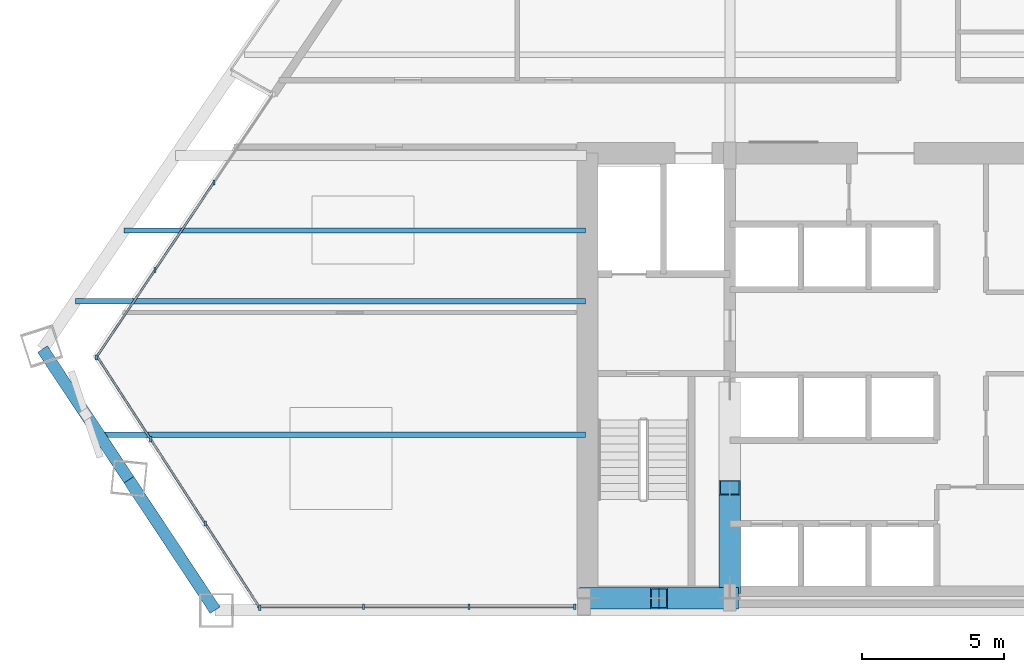
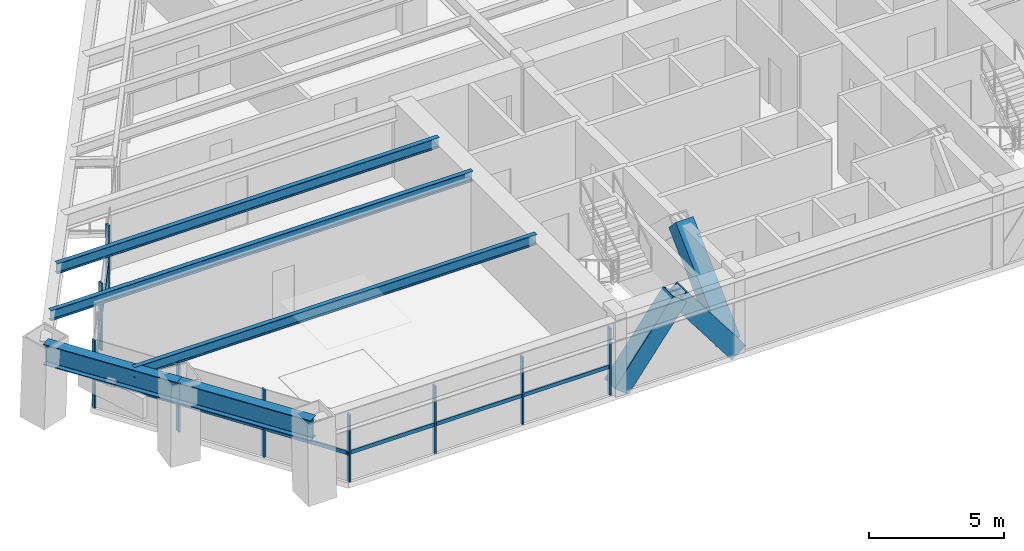
# One storey, part 2 of 14: 20 members, 5 beams, 3 elements without a shape of their own.
"""IFC4 building model written with IfcOpenShell, lengths in metres."""

from ifc_helpers import new_model, si_unit, direction, frame, origin, origin_2d, place, context, subcontext, project, spatial, rectangle, hollow_rectangle, i_section, extrude, source, transform, mapped, material, material_profile, profile_set, type_object, element, aggregate, save


model = new_model("IFC4")

# Units and contexts
model_context = context("Model", 3, precision=1e-05, world=origin(), true_north=direction((0.0, 1.0)))
body_context = subcontext(model_context, "Body", "Model", "MODEL_VIEW")
ifc_project = project(units=[si_unit("LENGTHUNIT", "METRE"), si_unit("AREAUNIT", "SQUARE_METRE"), si_unit("VOLUMEUNIT", "CUBIC_METRE"), si_unit("PLANEANGLEUNIT", "RADIAN"), si_unit("MASSUNIT", "GRAM", prefix="KILO")], contexts=[model_context])

# Site, building, storey
site_placement = place(None, origin())
site = spatial("IfcSite", under=ifc_project, at=site_placement, CompositionType="ELEMENT")
building_placement = place(site_placement, origin())
building = spatial("IfcBuilding", under=site, at=building_placement, Name="Varnakhor Terracotta Tower", CompositionType="ELEMENT")
storey_placement = place(building_placement, frame((0.0, 0.0, 95.10009765625)))
storey = spatial("IfcBuildingStorey", under=building, at=storey_placement, Name="L23", CompositionType="ELEMENT", Elevation=95.10009765625)

# Members
ifc_material_1 = material(Name="Steel S460", Category="steel")
ifc_material_profile_1 = material_profile(ifc_material_1, hollow_rectangle(XDim=0.75, YDim=0.75, WallThickness=0.044921875, at=origin_2d()), Name="HSS750X750X45")
ifc_profile_set_1 = profile_set([ifc_material_profile_1], Name="Steel S460")
member_type_1 = type_object("IfcMemberType", Name="MBR-MEGA-750", PredefinedType="BRACE", material=ifc_profile_set_1)
shared_shape_1 = source(origin(), body_context, "Body", "SweptSolid", [
    extrude(hollow_rectangle(XDim=0.75, YDim=0.75, WallThickness=0.044921875, at=origin_2d()), origin(), (0.0, 0.0, 1.0), 4.139892578125),
])
for number, where, z_axis, x_axis, name in (
    (1, (-10.5, 0.419921875, 0.0), (0.603880396023, 0.0, 0.797074944594), (0.0, 1.0, 0.0), "L23 Core Coupled Brace CSWA"),
    (2, (-5.5, 0.419921875, 0.0), (-0.603880396023, 0.0, 0.797074944594), (0.0, -1.0, 0.0), "L23 Core Coupled Brace CSWB"),
):
    element("IfcMember", number, at=place(storey_placement, frame(where, z_axis=z_axis, x_axis=x_axis)), inside=storey, type_object=member_type_1, Name=name, PredefinedType="BRACE", context=body_context, shape_type="MappedRepresentation", body=[
        mapped(shared_shape_1, transform((0.0, 0.0, 0.0), scale=1.0)),
    ])
shared_shape_2 = source(origin(), body_context, "Body", "SweptSolid", [
    extrude(hollow_rectangle(XDim=0.75, YDim=0.75, WallThickness=0.044921875, at=origin_2d()), origin(), (0.0, 0.0, 1.0), 4.7919921875),
])
member_1_placement = place(storey_placement, frame((-5.5, 0.85009765625, 0.0), z_axis=(0.0, 0.725135524869, 0.688606179592), x_axis=(-1.0, 0.0, 0.0)))
element("IfcMember", 3, at=member_1_placement, inside=storey, type_object=member_type_1, Name="L23 Core Coupled Brace CWWA", PredefinedType="BRACE", context=body_context, shape_type="MappedRepresentation", body=[
    mapped(shared_shape_2, transform((0.0, 0.0, 0.0), scale=1.0)),
])

# Beams
ifc_material_2 = material(Name="Steel S355", Category="steel")
ifc_material_profile_2 = material_profile(ifc_material_2, i_section(OverallWidth=0.41796875, OverallDepth=0.927001953125, WebThickness=0.01904296875, FlangeThickness=0.031982421875, FilletRadius=0.01806640625, at=origin_2d()), Name="W36X231")
ifc_profile_set_2 = profile_set([ifc_material_profile_2], Name="Steel S355")
beam_type_1 = type_object("IfcBeamType", Name="BM-W36X231", PredefinedType="BEAM", material=ifc_profile_set_2)
shared_shape_3 = source(origin(), body_context, "Body", "SweptSolid", [
    extrude(i_section(OverallWidth=0.41796875, OverallDepth=0.927001953125, WebThickness=0.01904296875, FlangeThickness=0.031982421875, FilletRadius=0.01806640625, at=origin_2d()), origin(), (0.0, 0.0, 1.0), 5.52197265625),
])
for number, where, z_axis, x_axis, name in (
    (4, (-29.74951171875, 9.21240234375, 2.986328125), (0.551512801438, -0.834166428149, 0.0), (0.834166428149, 0.551512801438, 0.0), "L23 Perimeter Spandrel 7"),
    (5, (-26.7041015625, 4.606201171875, 2.986328125), (0.551512801438, -0.834166428149, 0.0), (0.834166428149, 0.551512801438, 0.0), "L23 Perimeter Spandrel 8"),
):
    element("IfcBeam", number, at=place(storey_placement, frame(where, z_axis=z_axis, x_axis=x_axis)), inside=storey, type_object=beam_type_1, Name=name, PredefinedType="BEAM", context=body_context, shape_type="MappedRepresentation", body=[
        mapped(shared_shape_3, transform((0.0, 0.0, 0.0), scale=1.0)),
    ])
ifc_material_profile_3 = material_profile(ifc_material_2, i_section(OverallWidth=0.19189453125, OverallDepth=0.462890625, WebThickness=0.010498046875, FlangeThickness=0.017578125, FilletRadius=0.01806640625, at=origin_2d()), Name="W18X60")
ifc_profile_set_3 = profile_set([ifc_material_profile_3], Name="Steel S355")
beam_type_2 = type_object("IfcBeamType", Name="JST-W18X60", PredefinedType="JOIST", material=ifc_profile_set_3)
shared_shape_4 = source(origin(), body_context, "Body", "SweptSolid", [
    extrude(i_section(OverallWidth=0.19189453125, OverallDepth=0.462890625, WebThickness=0.010498046875, FlangeThickness=0.017578125, FilletRadius=0.01806640625, at=origin_2d()), origin(), (0.0, 0.0, 1.0), 17.15771484375),
])
beam_1_placement = place(storey_placement, frame((-27.7578125, 6.199951171875, 3.218505859375), z_axis=(1.0, 0.0, 0.0), x_axis=(0.0, 1.0, 0.0)))
element("IfcBeam", 6, at=beam_1_placement, inside=storey, type_object=beam_type_2, Name="L23 Floor Joist W1", PredefinedType="JOIST", context=body_context, shape_type="MappedRepresentation", body=[
    mapped(shared_shape_4, transform((0.0, 0.0, 0.0), scale=1.0)),
])
shared_shape_5 = source(origin(), body_context, "Body", "SweptSolid", [
    extrude(i_section(OverallWidth=0.19189453125, OverallDepth=0.462890625, WebThickness=0.010498046875, FlangeThickness=0.017578125, FilletRadius=0.01806640625, at=origin_2d()), origin(), (0.0, 0.0, 1.0), 17.992919921875),
])
beam_2_placement = place(storey_placement, frame((-28.593017578125, 10.89990234375, 3.218505859375), z_axis=(1.0, 0.0, 0.0), x_axis=(0.0, 1.0, 0.0)))
element("IfcBeam", 7, at=beam_2_placement, inside=storey, type_object=beam_type_2, Name="L23 Floor Joist W2", PredefinedType="JOIST", context=body_context, shape_type="MappedRepresentation", body=[
    mapped(shared_shape_5, transform((0.0, 0.0, 0.0), scale=1.0)),
])
shared_shape_6 = source(origin(), body_context, "Body", "SweptSolid", [
    extrude(i_section(OverallWidth=0.19189453125, OverallDepth=0.462890625, WebThickness=0.010498046875, FlangeThickness=0.017578125, FilletRadius=0.01806640625, at=origin_2d()), origin(), (0.0, 0.0, 1.0), 16.279541015625),
])
beam_3_placement = place(storey_placement, frame((-26.879638671875, 13.39990234375, 3.218505859375), z_axis=(1.0, 0.0, 0.0), x_axis=(0.0, 1.0, 0.0)))
element("IfcBeam", 8, at=beam_3_placement, inside=storey, type_object=beam_type_2, Name="L23 Floor Joist W3", PredefinedType="JOIST", context=body_context, shape_type="MappedRepresentation", body=[
    mapped(shared_shape_6, transform((0.0, 0.0, 0.0), scale=1.0)),
])

# Curtain wall, members
ifc_material_3 = material(Name="Anodised Aluminium Curtain Wall System", Category="aluminium")
curtain_wall_type = type_object("IfcCurtainWallType", Name="CW-SYS-LOW-OFFICE", PredefinedType="NOTDEFINED", material=ifc_material_3)
curtain_wall_1_placement = place(storey_placement, origin())
curtain_wall_1 = element("IfcCurtainWall", 9, at=curtain_wall_1_placement, inside=storey, type_object=curtain_wall_type, Name="L23 W Facet Curtain Wall 1", PredefinedType="NOTDEFINED")
ifc_material_4 = material(Name="Anodised Aluminium 6063-T6", Category="aluminium")
ifc_material_profile_4 = material_profile(ifc_material_4, rectangle(XDim=0.074951171875, YDim=0.18505859375, at=origin_2d()), Name="ALU MULLION 75x185")
ifc_profile_set_4 = profile_set([ifc_material_profile_4], Name="Anodised Aluminium 6063-T6")
member_type_2 = type_object("IfcMemberType", Name="CWM-02", PredefinedType="MULLION", material=ifc_profile_set_4)
shared_shape_7 = source(origin(), body_context, "Body", "SweptSolid", [
    extrude(rectangle(XDim=0.074951171875, YDim=0.18505859375, at=origin_2d()), origin(), (0.0, 0.0, 1.0), 3.02978515625),
])
member_2_placement = place(storey_placement, frame((-27.856201171875, 8.9208984375, 0.0), z_axis=(0.0, 0.0, 1.0), x_axis=(1.0, 0.0, 0.0)))
member_2 = element("IfcMember", 10, at=member_2_placement, type_object=member_type_2, Name="L23 W Facet Curtain Wall 1 Mullion 1", PredefinedType="MULLION", context=body_context, shape_type="MappedRepresentation", body=[
    mapped(shared_shape_7, transform((0.0, 0.0, 0.0), scale=1.0)),
])
member_3_placement = place(storey_placement, frame((-25.77978515625, 12.0087890625, 0.0), z_axis=(0.0, 0.0, 1.0), x_axis=(1.0, 0.0, 0.0)))
member_3 = element("IfcMember", 11, at=member_3_placement, type_object=member_type_2, Name="L23 W Facet Curtain Wall 1 Mullion 2", PredefinedType="MULLION", context=body_context, shape_type="MappedRepresentation", body=[
    mapped(shared_shape_7, transform((0.0, 0.0, 0.0), scale=1.0)),
])
member_4_placement = place(storey_placement, frame((-23.702880859375, 15.0966796875, 0.0), z_axis=(0.0, 0.0, 1.0), x_axis=(1.0, 0.0, 0.0)))
member_4 = element("IfcMember", 12, at=member_4_placement, type_object=member_type_2, Name="L23 W Facet Curtain Wall 1 Mullion 3", PredefinedType="MULLION", context=body_context, shape_type="MappedRepresentation", body=[
    mapped(shared_shape_7, transform((0.0, 0.0, 0.0), scale=1.0)),
])

curtain_wall_2_placement = place(storey_placement, origin())
curtain_wall_2 = element("IfcCurtainWall", 13, at=curtain_wall_2_placement, inside=storey, type_object=curtain_wall_type, Name="L23 South Wing Curtain Wall SSW", PredefinedType="NOTDEFINED")
member_5_placement = place(storey_placement, frame((-10.969970703125, 0.1201171875, 0.0), z_axis=(0.0, 0.0, 1.0), x_axis=(1.0, 0.0, 0.0)))
member_5 = element("IfcMember", 14, at=member_5_placement, type_object=member_type_2, Name="L23 South Wing Curtain Wall SSW Mullion 1", PredefinedType="MULLION", context=body_context, shape_type="MappedRepresentation", body=[
    mapped(shared_shape_7, transform((0.0, 0.0, 0.0), scale=1.0)),
])
member_6_placement = place(storey_placement, frame((-14.700439453125, 0.1201171875, 0.0), z_axis=(0.0, 0.0, 1.0), x_axis=(1.0, 0.0, 0.0)))
member_6 = element("IfcMember", 15, at=member_6_placement, type_object=member_type_2, Name="L23 South Wing Curtain Wall SSW Mullion 2", PredefinedType="MULLION", context=body_context, shape_type="MappedRepresentation", body=[
    mapped(shared_shape_7, transform((0.0, 0.0, 0.0), scale=1.0)),
])
member_7_placement = place(storey_placement, frame((-18.4306640625, 0.1201171875, 0.0), z_axis=(0.0, 0.0, 1.0), x_axis=(1.0, 0.0, 0.0)))
member_7 = element("IfcMember", 16, at=member_7_placement, type_object=member_type_2, Name="L23 South Wing Curtain Wall SSW Mullion 3", PredefinedType="MULLION", context=body_context, shape_type="MappedRepresentation", body=[
    mapped(shared_shape_7, transform((0.0, 0.0, 0.0), scale=1.0)),
])

curtain_wall_3_placement = place(storey_placement, origin())
curtain_wall_3 = element("IfcCurtainWall", 17, at=curtain_wall_3_placement, inside=storey, type_object=curtain_wall_type, Name="L23 Facet Curtain Wall 6", PredefinedType="NOTDEFINED")
member_8_placement = place(storey_placement, frame((-22.086669921875, 0.09033203125, 0.0), z_axis=(0.0, 0.0, 1.0), x_axis=(1.0, 0.0, 0.0)))
member_8 = element("IfcMember", 18, at=member_8_placement, type_object=member_type_2, Name="L23 Facet Curtain Wall 6 Mullion 1", PredefinedType="MULLION", context=body_context, shape_type="MappedRepresentation", body=[
    mapped(shared_shape_7, transform((0.0, 0.0, 0.0), scale=1.0)),
])
member_9_placement = place(storey_placement, frame((-24.009521484375, 3.061279296875, 0.0), z_axis=(0.0, 0.0, 1.0), x_axis=(1.0, 0.0, 0.0)))
member_9 = element("IfcMember", 19, at=member_9_placement, type_object=member_type_2, Name="L23 Facet Curtain Wall 6 Mullion 2", PredefinedType="MULLION", context=body_context, shape_type="MappedRepresentation", body=[
    mapped(shared_shape_7, transform((0.0, 0.0, 0.0), scale=1.0)),
])
member_10_placement = place(storey_placement, frame((-25.9326171875, 6.031982421875, 0.0), z_axis=(0.0, 0.0, 1.0), x_axis=(1.0, 0.0, 0.0)))
member_10 = element("IfcMember", 20, at=member_10_placement, type_object=member_type_2, Name="L23 Facet Curtain Wall 6 Mullion 3", PredefinedType="MULLION", context=body_context, shape_type="MappedRepresentation", body=[
    mapped(shared_shape_7, transform((0.0, 0.0, 0.0), scale=1.0)),
])
ifc_material_profile_5 = material_profile(ifc_material_4, rectangle(XDim=0.074951171875, YDim=0.1650390625, at=origin_2d()), Name="ALU TRANSOM 75x165")
ifc_profile_set_5 = profile_set([ifc_material_profile_5], Name="Anodised Aluminium 6063-T6")
member_type_3 = type_object("IfcMemberType", Name="CWT-02", PredefinedType="USERDEFINED", material=ifc_profile_set_5)
shared_shape_8 = source(origin(), body_context, "Body", "SweptSolid", [
    extrude(rectangle(XDim=0.074951171875, YDim=0.1650390625, at=origin_2d()), origin(), (0.0, 0.0, 1.0), 3.538818359375),
])
member_11_placement = place(storey_placement, frame((-22.086669921875, 0.09033203125, 1.2724609375), z_axis=(-0.543345669836, 0.839509072655, 0.0), x_axis=(-0.839509072655, -0.543345669836, 0.0)))
member_11 = element("IfcMember", 21, at=member_11_placement, type_object=member_type_3, Name="L23 Facet Curtain Wall 6 Transom 1", ObjectType="TRANSOM", PredefinedType="USERDEFINED", context=body_context, shape_type="MappedRepresentation", body=[
    mapped(shared_shape_8, transform((0.0, 0.0, 0.0), scale=1.0)),
])
member_12_placement = place(storey_placement, frame((-24.009521484375, 3.061279296875, 1.2724609375), z_axis=(-0.543425757924, 0.839457232755, 0.0), x_axis=(-0.839457232755, -0.543425757924, 0.0)))
member_12 = element("IfcMember", 22, at=member_12_placement, type_object=member_type_3, Name="L23 Facet Curtain Wall 6 Transom 2", ObjectType="TRANSOM", PredefinedType="USERDEFINED", context=body_context, shape_type="MappedRepresentation", body=[
    mapped(shared_shape_8, transform((0.0, 0.0, 0.0), scale=1.0)),
])

# Member
shared_shape_9 = source(origin(), body_context, "Body", "SweptSolid", [
    extrude(rectangle(XDim=0.074951171875, YDim=0.1650390625, at=origin_2d()), origin(), (0.0, 0.0, 1.0), 3.72119140625),
])
member_13_placement = place(storey_placement, frame((-27.856201171875, 8.9208984375, 1.2724609375), z_axis=(0.558011611475, 0.829833140733, 0.0), x_axis=(-0.829833140733, 0.558011611475, 0.0)))
member_13 = element("IfcMember", 23, at=member_13_placement, type_object=member_type_3, Name="L23 W Facet Curtain Wall 1 Transom 1", ObjectType="TRANSOM", PredefinedType="USERDEFINED", context=body_context, shape_type="MappedRepresentation", body=[
    mapped(shared_shape_9, transform((0.0, 0.0, 0.0), scale=1.0)),
])

shared_shape_10 = source(origin(), body_context, "Body", "SweptSolid", [
    extrude(rectangle(XDim=0.074951171875, YDim=0.1650390625, at=origin_2d()), origin(), (0.0, 0.0, 1.0), 3.721435546875),
])
member_14_placement = place(storey_placement, frame((-25.77978515625, 12.0087890625, 1.2724609375), z_axis=(0.558101962433, 0.829772378142, 0.0), x_axis=(-0.829772378142, 0.558101962433, 0.0)))
member_14 = element("IfcMember", 24, at=member_14_placement, type_object=member_type_3, Name="L23 W Facet Curtain Wall 1 Transom 2", ObjectType="TRANSOM", PredefinedType="USERDEFINED", context=body_context, shape_type="MappedRepresentation", body=[
    mapped(shared_shape_10, transform((0.0, 0.0, 0.0), scale=1.0)),
])

aggregate(curtain_wall_1, [member_2, member_13, member_3, member_14, member_4])

shared_shape_11 = source(origin(), body_context, "Body", "SweptSolid", [
    extrude(rectangle(XDim=0.074951171875, YDim=0.1650390625, at=origin_2d()), origin(), (0.0, 0.0, 1.0), 3.73046875),
])
member_15_placement = place(storey_placement, frame((-10.969970703125, 0.1201171875, 1.2724609375), z_axis=(-1.0, 0.0, 0.0), x_axis=(0.0, -1.0, 0.0)))
member_15 = element("IfcMember", 25, at=member_15_placement, type_object=member_type_3, Name="L23 South Wing Curtain Wall SSW Transom 1", ObjectType="TRANSOM", PredefinedType="USERDEFINED", context=body_context, shape_type="MappedRepresentation", body=[
    mapped(shared_shape_11, transform((0.0, 0.0, 0.0), scale=1.0)),
])

member_16_placement = place(storey_placement, frame((-18.4306640625, 0.1201171875, 1.2724609375), z_axis=(-1.0, 0.0, 0.0), x_axis=(0.0, -1.0, 0.0)))
member_16 = element("IfcMember", 26, at=member_16_placement, type_object=member_type_3, Name="L23 South Wing Curtain Wall SSW Transom 3", ObjectType="TRANSOM", PredefinedType="USERDEFINED", context=body_context, shape_type="MappedRepresentation", body=[
    mapped(shared_shape_11, transform((0.0, 0.0, 0.0), scale=1.0)),
])

shared_shape_12 = source(origin(), body_context, "Body", "SweptSolid", [
    extrude(rectangle(XDim=0.074951171875, YDim=0.1650390625, at=origin_2d()), origin(), (0.0, 0.0, 1.0), 3.730224609375),
])
member_17_placement = place(storey_placement, frame((-14.700439453125, 0.1201171875, 1.2724609375), z_axis=(-1.0, 0.0, 0.0), x_axis=(0.0, -1.0, 0.0)))
member_17 = element("IfcMember", 27, at=member_17_placement, type_object=member_type_3, Name="L23 South Wing Curtain Wall SSW Transom 2", ObjectType="TRANSOM", PredefinedType="USERDEFINED", context=body_context, shape_type="MappedRepresentation", body=[
    mapped(shared_shape_12, transform((0.0, 0.0, 0.0), scale=1.0)),
])

aggregate(curtain_wall_2, [member_5, member_15, member_6, member_17, member_7, member_16])

shared_shape_13 = source(origin(), body_context, "Body", "SweptSolid", [
    extrude(rectangle(XDim=0.074951171875, YDim=0.1650390625, at=origin_2d()), origin(), (0.0, 0.0, 1.0), 3.5390625),
])
member_18_placement = place(storey_placement, frame((-25.9326171875, 6.031982421875, 1.2724609375), z_axis=(-0.543394287812, 0.839477604212, 0.0), x_axis=(-0.839477604212, -0.543394287812, 0.0)))
member_18 = element("IfcMember", 28, at=member_18_placement, type_object=member_type_3, Name="L23 Facet Curtain Wall 6 Transom 3", ObjectType="TRANSOM", PredefinedType="USERDEFINED", context=body_context, shape_type="MappedRepresentation", body=[
    mapped(shared_shape_13, transform((0.0, 0.0, 0.0), scale=1.0)),
])

aggregate(curtain_wall_3, [member_8, member_11, member_9, member_12, member_10, member_18])

save(model, "model.ifc")
